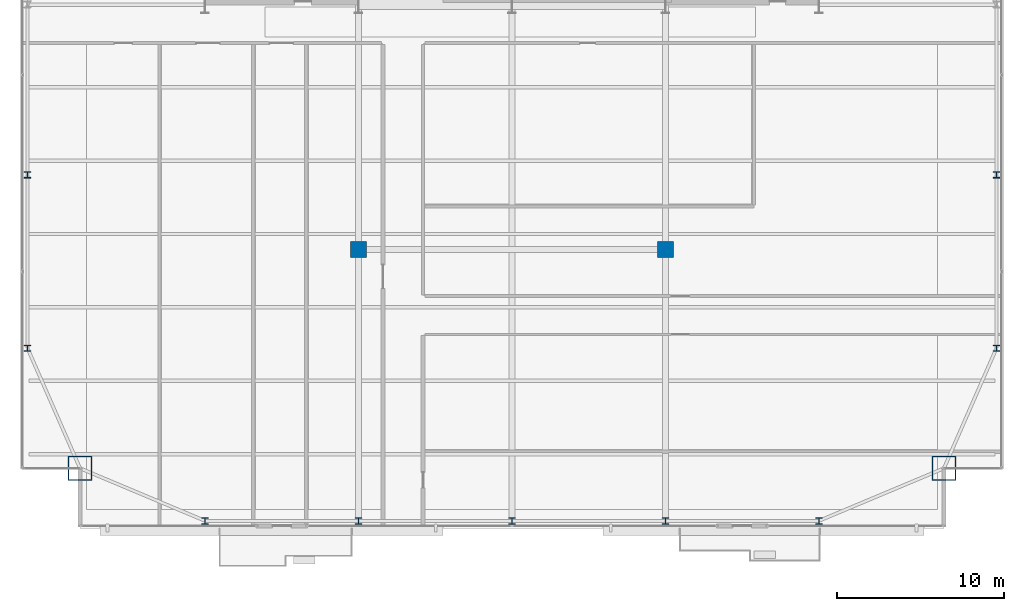
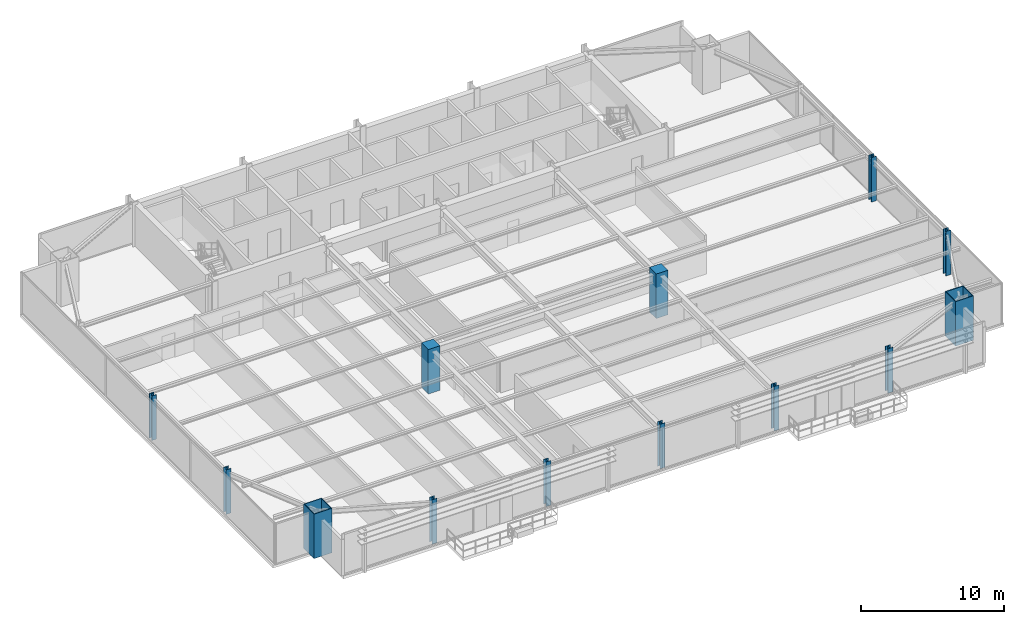
# One storey, part 1 of 31: 13 columns.
"""IFC4 building model written with IfcOpenShell, lengths in metres."""

from ifc_helpers import new_model, si_unit, direction, frame, origin, origin_2d, place, context, subcontext, project, spatial, rectangle, hollow_rectangle, i_section, extrude, source, transform, mapped, material, material_profile, profile_set, type_object, type_shapes, element, save


model = new_model("IFC4")

# Units and contexts
model_context = context("Model", 3, precision=1e-05, world=origin(), true_north=direction((0.0, 1.0)))
body_context = subcontext(model_context, "Body", "Model", "MODEL_VIEW")
ifc_project = project(units=[si_unit("LENGTHUNIT", "METRE"), si_unit("AREAUNIT", "SQUARE_METRE"), si_unit("VOLUMEUNIT", "CUBIC_METRE"), si_unit("PLANEANGLEUNIT", "RADIAN"), si_unit("MASSUNIT", "GRAM", prefix="KILO")], contexts=[model_context])

# Site, building, storey
site_placement = place(None, origin())
site = spatial("IfcSite", under=ifc_project, at=site_placement, CompositionType="ELEMENT")
building_placement = place(site_placement, origin())
building = spatial("IfcBuilding", under=site, at=building_placement, Name="Varnel Quay Broadcast Tower", CompositionType="ELEMENT")
storey_placement = place(building_placement, frame((0.0, 0.0, 94.60009765625)))
storey = spatial("IfcBuildingStorey", under=building, at=storey_placement, Name="L22", CompositionType="ELEMENT", Elevation=94.60009765625)

# Columns
ifc_material_1 = material(Name="Structural Steel CSA G40.21 350WT", Category="steel")
ifc_material_profile_1 = material_profile(ifc_material_1, hollow_rectangle(XDim=1.449951171875, YDim=1.449951171875, WallThickness=0.054931640625, at=origin_2d()), Name="BOX1450X1450X55")
ifc_profile_set_1 = profile_set([ifc_material_profile_1], Name="Structural Steel CSA G40.21 350WT")
column_type_1 = type_object("IfcColumnType", Name="Col_BOX1450X1450X55", PredefinedType="COLUMN", material=ifc_profile_set_1)
shared_shape_1 = source(origin(), body_context, "Body", "SweptSolid", [
    extrude(hollow_rectangle(XDim=1.449951171875, YDim=1.449951171875, WallThickness=0.054931640625, at=origin_2d()), origin(), (0.0, 0.0, 1.0), 3.7998046875),
])
type_shapes(column_type_1, [shared_shape_1])
for number, where, z_axis, x_axis, name in (
    (1, (8.10009765625, 7.800048828125, 0.0), (0.0, 0.0, 1.0), (1.0, 0.0, 0.0), "L22 Column MC-SW"),
    (2, (59.89990234375, 7.800048828125, 0.0), (0.0, 0.0, 1.0), (1.0, 0.0, 0.0), "L22 Column MC-SE"),
):
    element("IfcColumn", number, at=place(storey_placement, frame(where, z_axis=z_axis, x_axis=x_axis)), inside=storey, type_object=column_type_1, Name=name, PredefinedType="COLUMN", context=body_context, shape_type="MappedRepresentation", body=[
        mapped(shared_shape_1, transform((0.0, 0.0, 0.0), x_axis=(1.0, 0.0, 0.0), y_axis=(0.0, 1.0, 0.0), z_axis=(0.0, 0.0, 1.0), scale=1.0)),
    ])
ifc_material_2 = material(Name="Structural Steel CSA G40.21 350W", Category="steel")
ifc_material_profile_2 = material_profile(ifc_material_2, i_section(OverallWidth=0.39794921875, OverallDepth=0.386962890625, WebThickness=0.02099609375, FlangeThickness=0.033203125, FilletRadius=0.01806640625, at=origin_2d()), Name="W360X262")
ifc_profile_set_2 = profile_set([ifc_material_profile_2], Name="Structural Steel CSA G40.21 350W")
column_type_2 = type_object("IfcColumnType", Name="Col_W360X262", PredefinedType="COLUMN", material=ifc_profile_set_2)
shared_shape_2 = source(origin(), body_context, "Body", "SweptSolid", [
    extrude(i_section(OverallWidth=0.39794921875, OverallDepth=0.386962890625, WebThickness=0.02099609375, FlangeThickness=0.033203125, FilletRadius=0.01806640625, at=origin_2d()), origin(), (0.0, 0.0, 1.0), 3.7998046875),
])
type_shapes(column_type_2, [shared_shape_2])
for number, where, z_axis, x_axis, name in (
    (3, (15.60009765625, 4.64990234375, 0.0), (0.0, 0.0, 1.0), (1.0, 0.0, 0.0), "L22 Column TC-S1"),
    (4, (24.800048828125, 4.64990234375, 0.0), (0.0, 0.0, 1.0), (1.0, 0.0, 0.0), "L22 Column TC-S2"),
    (5, (34.0, 4.64990234375, 0.0), (0.0, 0.0, 1.0), (1.0, 0.0, 0.0), "L22 Column TC-S3"),
    (6, (43.199951171875, 4.64990234375, 0.0), (0.0, 0.0, 1.0), (1.0, 0.0, 0.0), "L22 Column TC-S4"),
    (7, (52.39990234375, 4.64990234375, 0.0), (0.0, 0.0, 1.0), (1.0, 0.0, 0.0), "L22 Column TC-S5"),
    (8, (4.949951171875, 15.0, 0.0), (0.0, 0.0, 1.0), (1.0, 0.0, 0.0), "L22 Column TC-W1"),
    (9, (63.050048828125, 15.0, 0.0), (0.0, 0.0, 1.0), (1.0, 0.0, 0.0), "L22 Column TC-E1"),
    (10, (4.949951171875, 25.39990234375, 0.0), (0.0, 0.0, 1.0), (1.0, 0.0, 0.0), "L22 Column TC-W2"),
    (11, (63.050048828125, 25.39990234375, 0.0), (0.0, 0.0, 1.0), (1.0, 0.0, 0.0), "L22 Column TC-E2"),
):
    element("IfcColumn", number, at=place(storey_placement, frame(where, z_axis=z_axis, x_axis=x_axis)), inside=storey, type_object=column_type_2, Name=name, PredefinedType="COLUMN", context=body_context, shape_type="MappedRepresentation", body=[
        mapped(shared_shape_2, transform((0.0, 0.0, 0.0), x_axis=(1.0, 0.0, 0.0), y_axis=(0.0, 1.0, 0.0), z_axis=(0.0, 0.0, 1.0), scale=1.0)),
    ])
ifc_material_3 = material(Name="Concrete CSA A23.3 C50/60", Category="concrete")
ifc_material_profile_3 = material_profile(ifc_material_3, rectangle(XDim=0.949951171875, YDim=0.949951171875, at=origin_2d()), Name="RC950X950")
ifc_profile_set_3 = profile_set([ifc_material_profile_3], Name="Concrete CSA A23.3 C50/60")
column_type_3 = type_object("IfcColumnType", Name="Col_RC950X950", PredefinedType="COLUMN", material=ifc_profile_set_3)
shared_shape_3 = source(origin(), body_context, "Body", "SweptSolid", [
    extrude(rectangle(XDim=0.949951171875, YDim=0.949951171875, at=origin_2d()), origin(), (0.0, 0.0, 1.0), 3.7998046875),
])
type_shapes(column_type_3, [shared_shape_3])
for number, where, z_axis, x_axis, name in (
    (12, (24.800048828125, 20.929931640625, 0.0), (0.0, 0.0, 1.0), (1.0, 0.0, 0.0), "L22 Column IC-01"),
    (13, (43.199951171875, 20.929931640625, 0.0), (0.0, 0.0, 1.0), (1.0, 0.0, 0.0), "L22 Column IC-02"),
):
    element("IfcColumn", number, at=place(storey_placement, frame(where, z_axis=z_axis, x_axis=x_axis)), inside=storey, type_object=column_type_3, Name=name, PredefinedType="COLUMN", context=body_context, shape_type="MappedRepresentation", body=[
        mapped(shared_shape_3, transform((0.0, 0.0, 0.0), x_axis=(1.0, 0.0, 0.0), y_axis=(0.0, 1.0, 0.0), z_axis=(0.0, 0.0, 1.0), scale=1.0)),
    ])

save(model, "model.ifc")
